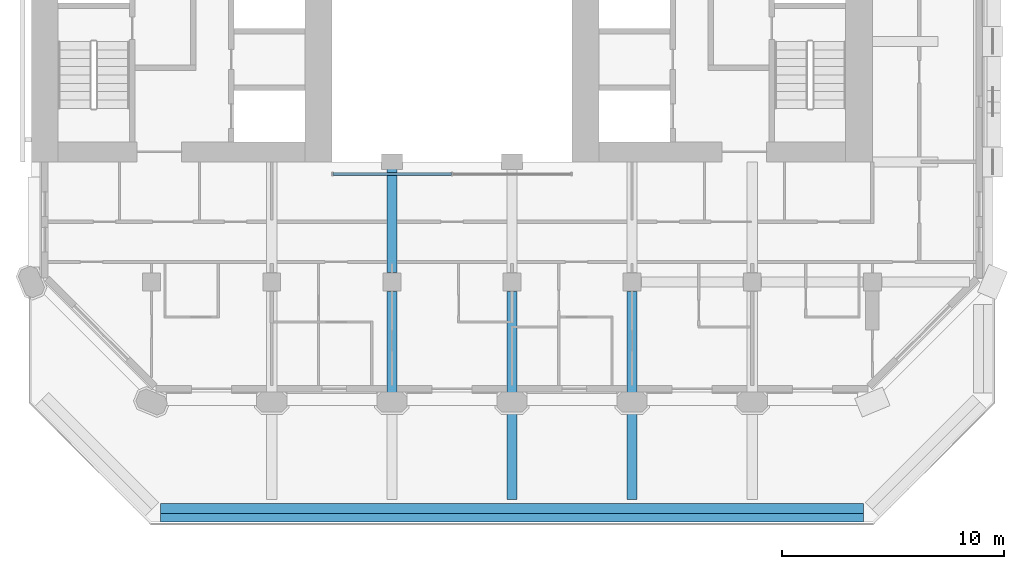
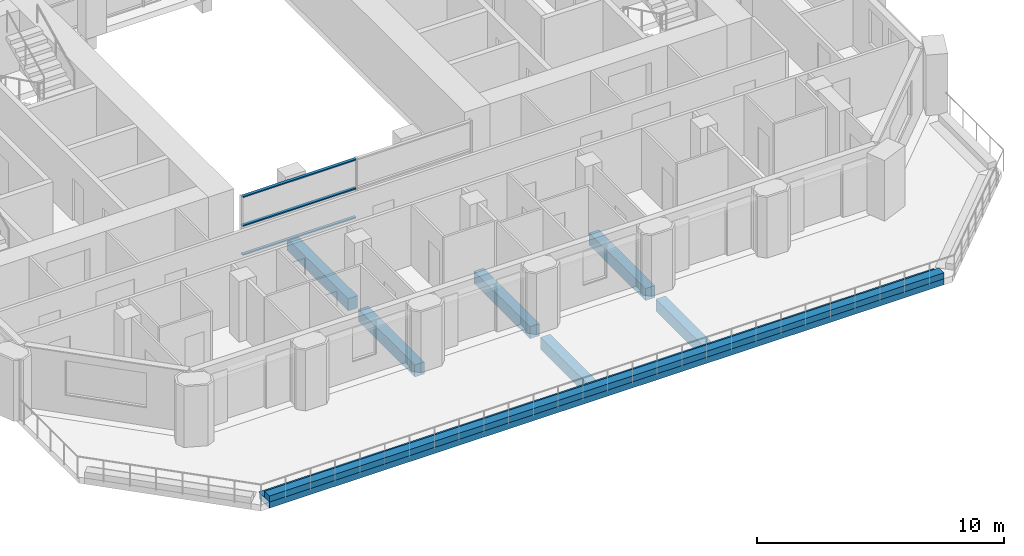
# One storey, part 3 of 17: 8 beams, 3 members, 1 element without a shape of its own.
"""IFC4 building model written with IfcOpenShell, lengths in metres."""

from ifc_helpers import new_model, si_unit, direction, frame, origin, origin_2d, place, context, subcontext, project, spatial, rectangle, extrude, material, material_profile, profile_set, type_object, element, aggregate, save


model = new_model("IFC4")

# Units and contexts
model_context = context("Model", 3, precision=1e-05, world=origin(), true_north=direction((0.0, 1.0)))
body_context = subcontext(model_context, "Body", "Model", "MODEL_VIEW")
ifc_project = project(units=[si_unit("LENGTHUNIT", "METRE"), si_unit("AREAUNIT", "SQUARE_METRE"), si_unit("VOLUMEUNIT", "CUBIC_METRE"), si_unit("PLANEANGLEUNIT", "RADIAN"), si_unit("MASSUNIT", "GRAM", prefix="KILO")], contexts=[model_context])

# Site, building, storey
site_placement = place(None, origin())
site = spatial("IfcSite", under=ifc_project, at=site_placement, CompositionType="ELEMENT")
building_placement = place(site_placement, origin())
building = spatial("IfcBuilding", under=site, at=building_placement, Name="Tabaq Tower and Sports Hall", CompositionType="ELEMENT")
storey_placement = place(building_placement, frame((0.0, 0.0, 180.699951171875)))
storey = spatial("IfcBuildingStorey", under=building, at=storey_placement, Name="L43", CompositionType="ELEMENT", Elevation=180.699951171875)

# Curtain wall, members
ifc_material_1 = material(Name="Aluminium alloy 6063-T6 framed glazing", Category="aluminium")
curtain_wall_type = type_object("IfcCurtainWallType", Name="CW1 curtain wall", PredefinedType="USERDEFINED", material=ifc_material_1)
curtain_wall_placement = place(storey_placement, origin())
curtain_wall = element("IfcCurtainWall", 1, at=curtain_wall_placement, inside=storey, type_object=curtain_wall_type, Name="Atrium glazing L43 S", ObjectType="ATRIUM ENCLOSURE", PredefinedType="USERDEFINED")
ifc_material_2 = material(Name="Aluminium alloy 6063-T6", Category="aluminium")
ifc_material_profile_1 = material_profile(ifc_material_2, rectangle(XDim=0.139892578125, YDim=0.06005859375, at=origin_2d()), Name="TRANSOM 140x60")
ifc_profile_set_1 = profile_set([ifc_material_profile_1], Name="Aluminium alloy 6063-T6")
member_type = type_object("IfcMemberType", Name="CW1 transom 140x60", PredefinedType="USERDEFINED", material=ifc_profile_set_1)
member_1_placement = place(storey_placement, frame((18.9599609375, 15.64990234375, 0.070068359375), z_axis=(1.0, 0.0, 0.0), x_axis=(0.0, 1.0, 0.0)))
member_1 = element("IfcMember", 2, at=member_1_placement, type_object=member_type, Name="CW1 transom 1.1", ObjectType="TRANSOM", PredefinedType="USERDEFINED", context=body_context, shape_type="SweptSolid", body=[
    extrude(rectangle(XDim=0.139892578125, YDim=0.06005859375, at=origin_2d()), origin(), (0.0, 0.0, 1.0), 5.31005859375),
])
member_2_placement = place(storey_placement, frame((18.9599609375, 15.64990234375, 1.5), z_axis=(1.0, 0.0, 0.0), x_axis=(0.0, 1.0, 0.0)))
member_2 = element("IfcMember", 3, at=member_2_placement, type_object=member_type, Name="CW1 transom 1.2", ObjectType="TRANSOM", PredefinedType="USERDEFINED", context=body_context, shape_type="SweptSolid", body=[
    extrude(rectangle(XDim=0.139892578125, YDim=0.06005859375, at=origin_2d()), origin(), (0.0, 0.0, 1.0), 5.31005859375),
])
member_3_placement = place(storey_placement, frame((18.9599609375, 15.64990234375, 2.929931640625), z_axis=(1.0, 0.0, 0.0), x_axis=(0.0, 1.0, 0.0)))
member_3 = element("IfcMember", 4, at=member_3_placement, type_object=member_type, Name="CW1 transom 1.3", ObjectType="TRANSOM", PredefinedType="USERDEFINED", context=body_context, shape_type="SweptSolid", body=[
    extrude(rectangle(XDim=0.139892578125, YDim=0.06005859375, at=origin_2d()), origin(), (0.0, 0.0, 1.0), 5.31005859375),
])
aggregate(curtain_wall, [member_1, member_2, member_3])

# Beams
ifc_material_3 = material(Name="Concrete C40/50", Category="concrete")
ifc_material_profile_2 = material_profile(ifc_material_3, rectangle(XDim=0.449951171875, YDim=0.60009765625, at=origin_2d()), Name="CB 450x600")
ifc_profile_set_2 = profile_set([ifc_material_profile_2], Name="Concrete C40/50")
beam_type_1 = type_object("IfcBeamType", Name="PT CANTILEVER BEAM CB 450x600 C40/50", PredefinedType="BEAM", material=ifc_profile_set_2)
beam_1_placement = place(storey_placement, frame((21.60009765625, 5.824951171875, -0.599853515625), z_axis=(0.0, 1.0, 0.0), x_axis=(-1.0, 0.0, 0.0)))
element("IfcBeam", 5, at=beam_1_placement, inside=storey, type_object=beam_type_1, Name="Cantilever Beam L43 S4 span 2", PredefinedType="BEAM", context=body_context, shape_type="SweptSolid", body=[
    extrude(rectangle(XDim=0.449951171875, YDim=0.60009765625, at=origin_2d()), origin(), (0.0, 0.0, 1.0), 4.550048828125),
])
beam_2_placement = place(storey_placement, frame((21.60009765625, 11.22509765625, -0.599853515625), z_axis=(0.0, 1.0, 0.0), x_axis=(-1.0, 0.0, 0.0)))
element("IfcBeam", 6, at=beam_2_placement, inside=storey, type_object=beam_type_1, Name="Cantilever Beam L43 S4 span 3", PredefinedType="BEAM", context=body_context, shape_type="SweptSolid", body=[
    extrude(rectangle(XDim=0.449951171875, YDim=0.60009765625, at=origin_2d()), origin(), (0.0, 0.0, 1.0), 4.974853515625),
])
beam_3_placement = place(storey_placement, frame((27.0, 1.02490234375, -0.599853515625), z_axis=(0.0, 1.0, 0.0), x_axis=(-1.0, 0.0, 0.0)))
element("IfcBeam", 7, at=beam_3_placement, inside=storey, type_object=beam_type_1, Name="Cantilever Beam L43 S5 span 1", PredefinedType="BEAM", context=body_context, shape_type="SweptSolid", body=[
    extrude(rectangle(XDim=0.449951171875, YDim=0.60009765625, at=origin_2d()), origin(), (0.0, 0.0, 1.0), 3.9501953125),
])
beam_4_placement = place(storey_placement, frame((27.0, 5.824951171875, -0.599853515625), z_axis=(0.0, 1.0, 0.0), x_axis=(-1.0, 0.0, 0.0)))
element("IfcBeam", 8, at=beam_4_placement, inside=storey, type_object=beam_type_1, Name="Cantilever Beam L43 S5 span 2", PredefinedType="BEAM", context=body_context, shape_type="SweptSolid", body=[
    extrude(rectangle(XDim=0.449951171875, YDim=0.60009765625, at=origin_2d()), origin(), (0.0, 0.0, 1.0), 4.550048828125),
])
beam_5_placement = place(storey_placement, frame((32.39990234375, 1.02490234375, -0.599853515625), z_axis=(0.0, 1.0, 0.0), x_axis=(-1.0, 0.0, 0.0)))
element("IfcBeam", 9, at=beam_5_placement, inside=storey, type_object=beam_type_1, Name="Cantilever Beam L43 S6 span 1", PredefinedType="BEAM", context=body_context, shape_type="SweptSolid", body=[
    extrude(rectangle(XDim=0.449951171875, YDim=0.60009765625, at=origin_2d()), origin(), (0.0, 0.0, 1.0), 3.9501953125),
])
beam_6_placement = place(storey_placement, frame((32.39990234375, 5.824951171875, -0.599853515625), z_axis=(0.0, 1.0, 0.0), x_axis=(-1.0, 0.0, 0.0)))
element("IfcBeam", 10, at=beam_6_placement, inside=storey, type_object=beam_type_1, Name="Cantilever Beam L43 S6 span 2", PredefinedType="BEAM", context=body_context, shape_type="SweptSolid", body=[
    extrude(rectangle(XDim=0.449951171875, YDim=0.60009765625, at=origin_2d()), origin(), (0.0, 0.0, 1.0), 4.550048828125),
])
ifc_material_4 = material(Name="Concrete C40/50", Category="concrete")
ifc_material_profile_3 = material_profile(ifc_material_4, rectangle(XDim=0.85009765625, YDim=0.300048828125, at=origin_2d()), Name="EB 850x300")
ifc_profile_set_3 = profile_set([ifc_material_profile_3], Name="Concrete C40/50")
beam_type_2 = type_object("IfcBeamType", Name="PT EDGE BEAM EB 850x300 C40/50", PredefinedType="SPANDREL", material=ifc_profile_set_3)
beam_7_placement = place(storey_placement, frame((11.2021484375, 0.425048828125, -0.14990234375), z_axis=(1.0, 0.0, 0.0), x_axis=(0.0, 1.0, 0.0)))
element("IfcBeam", 11, at=beam_7_placement, inside=storey, type_object=beam_type_2, Name="Edge Beam L43 8", PredefinedType="SPANDREL", context=body_context, shape_type="SweptSolid", body=[
    extrude(rectangle(XDim=0.85009765625, YDim=0.300048828125, at=origin_2d()), origin(), (0.0, 0.0, 1.0), 31.595703125),
])
ifc_material_5 = material(Name="Concrete C40/50", Category="concrete")
ifc_material_profile_4 = material_profile(ifc_material_5, rectangle(XDim=0.39990234375, YDim=0.300048828125, at=origin_2d()), Name="EU 400x300")
ifc_profile_set_4 = profile_set([ifc_material_profile_4], Name="Concrete C40/50")
beam_type_3 = type_object("IfcBeamType", Name="PT EDGE UPSTAND EU 400x300 C40/50", PredefinedType="BEAM", material=ifc_profile_set_4)
beam_8_placement = place(storey_placement, frame((11.2021484375, 0.199951171875, 0.150146484375), z_axis=(1.0, 0.0, 0.0), x_axis=(0.0, 1.0, 0.0)))
element("IfcBeam", 12, at=beam_8_placement, inside=storey, type_object=beam_type_3, Name="Edge Upstand L43 8", PredefinedType="BEAM", context=body_context, shape_type="SweptSolid", body=[
    extrude(rectangle(XDim=0.39990234375, YDim=0.300048828125, at=origin_2d()), origin(), (0.0, 0.0, 1.0), 31.595703125),
])

save(model, "model.ifc")
